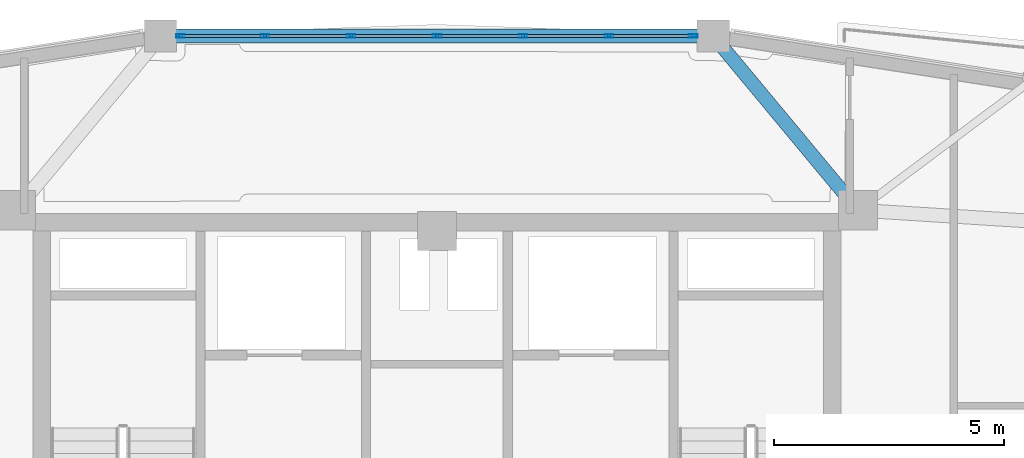
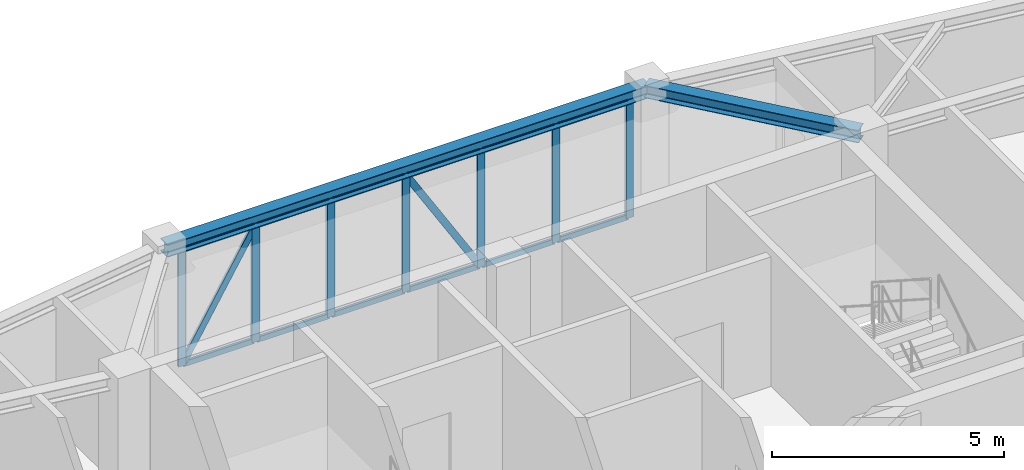
# One storey, part 9 of 16: 21 members, 2 beams, 1 element without a shape of its own.
"""IFC4 building model written with IfcOpenShell, lengths in metres."""

import ifcopenshell
import ifcopenshell.guid

model = None  # the IFC model being written
_history = None  # IfcOwnerHistory: only IFC2X3 demands one
_inside = {}  # id of a spatial element -> (the spatial element, [elements in it])
_under = {}  # id of a project, library or spatial element -> (it, [spatial elements below it])
_declared = {}  # id of a project -> (the project, [libraries it declares])
_typed = {}  # id of a type object -> (the type object, [elements of that type])
_made_of = {}  # id of a material, layer set ... -> (it, [elements and type objects made of it])


def new_model(schema):
    """Start an empty IFC model of exactly this schema.

    Asked for "IFC4X3", IfcOpenShell would pick the latest addendum, in which some entities
    have other attributes; the version numbers below select the first issue.
    IFC2X3 requires an IfcOwnerHistory on every rooted entity: one is made here for all.
    """
    global model, _history
    if schema == "IFC4X3":
        model = ifcopenshell.file(schema_version=(4, 3, 0, 0))
    else:
        model = ifcopenshell.file(schema=schema)
    _inside.clear()
    _under.clear()
    _declared.clear()
    _typed.clear()
    _made_of.clear()
    _history = None
    if model.schema == "IFC2X3":
        org = make("IfcOrganization", Name="unknown")
        user = make(
            "IfcPersonAndOrganization",
            ThePerson=make("IfcPerson", FamilyName="unknown"),
            TheOrganization=org,
        )
        app = make(
            "IfcApplication",
            ApplicationDeveloper=org,
            Version="unknown",
            ApplicationFullName="unknown",
            ApplicationIdentifier="unknown",
        )
        _history = make(
            "IfcOwnerHistory",
            OwningUser=user,
            OwningApplication=app,
            ChangeAction="ADDED",
            CreationDate=0,
        )
    return model


def make(cls, **values):
    """One entity of the class cls with the attributes given. An attribute that is None is left unset."""
    return model.create_entity(
        cls, **{name: value for name, value in values.items() if value is not None}
    )


def rooted(cls, **values):
    """An entity with a GlobalId (a new one), such as an element, a storey or a relation."""
    return make(cls, GlobalId=ifcopenshell.guid.new(), OwnerHistory=_history, **values)


def si_unit(unit_type, name, prefix=None):
    """IfcSIUnit, for example si_unit("LENGTHUNIT", "METRE", prefix="MILLI")."""
    return make("IfcSIUnit", UnitType=unit_type, Prefix=prefix, Name=name)


def derived_unit(unit_type, elements):
    """IfcDerivedUnit: a product of units, each with its exponent."""
    return make(
        "IfcDerivedUnit",
        Elements=[
            make("IfcDerivedUnitElement", Unit=unit, Exponent=power)
            for unit, power in elements
        ],
        UnitType=unit_type,
    )


def assignment(units):
    """IfcUnitAssignment: the units of a project."""
    return None if units is None else make("IfcUnitAssignment", Units=units)


def point(xyz):
    """IfcCartesianPoint."""
    return None if xyz is None else make("IfcCartesianPoint", Coordinates=xyz)


def direction(xyz):
    """IfcDirection."""
    return None if xyz is None else make("IfcDirection", DirectionRatios=xyz)


def frame(location, z_axis=None, x_axis=None):
    """IfcAxis2Placement3D, a coordinate frame: its origin and axes. An axis left out is left unset."""
    return make(
        "IfcAxis2Placement3D",
        Location=point(location),
        Axis=direction(z_axis),
        RefDirection=direction(x_axis),
    )


def frame_2d(location, x_axis=None):
    """IfcAxis2Placement2D, a coordinate frame in the plane: its origin and x axis."""
    return make(
        "IfcAxis2Placement2D", Location=point(location), RefDirection=direction(x_axis)
    )


def origin():
    """The frame at (0, 0, 0) with its axes left unset."""
    return frame((0.0, 0.0, 0.0))


def origin_2d():
    """The frame at (0, 0) in the plane with its x axis left unset."""
    return frame_2d((0.0, 0.0))


def place(relative_to, where):
    """IfcLocalPlacement: puts the frame where relative to a parent placement (None: the world)."""
    return make(
        "IfcLocalPlacement", PlacementRelTo=relative_to, RelativePlacement=where
    )


def context(
    kind, dimensions, precision=None, world=None, true_north=None, identifier=None
):
    """IfcGeometricRepresentationContext, for example the 3D "Model" context."""
    return make(
        "IfcGeometricRepresentationContext",
        ContextIdentifier=identifier,
        ContextType=kind,
        CoordinateSpaceDimension=dimensions,
        Precision=precision,
        WorldCoordinateSystem=world,
        TrueNorth=true_north,
    )


def subcontext(parent, identifier, kind, view, scale=None):
    """IfcGeometricRepresentationSubContext, for example "Body" below "Model"."""
    return make(
        "IfcGeometricRepresentationSubContext",
        ContextIdentifier=identifier,
        ContextType=kind,
        ParentContext=parent,
        TargetScale=scale,
        TargetView=view,
    )


def project(units=None, contexts=None):
    """IfcProject with its units and contexts."""
    return rooted(
        "IfcProject",
        Name="project",
        RepresentationContexts=contexts,
        UnitsInContext=assignment(units),
    )


def spatial(cls, under=None, at=None, **own):
    """A site, building, storey or space (cls), placed at a placement, below another one or the project."""
    s = rooted(cls, ObjectPlacement=at, **own)
    if under is not None:
        _under.setdefault(under.id(), (under, []))[1].append(s)
    return s


def profile(cls, at=None, kind="AREA", **sizes):
    """A parametric profile (cls). Its sizes go by their IFC names, for example OverallWidth=200.0."""
    return make(cls, ProfileType=kind, Position=at, **sizes)


def hollow_rectangle(**sizes):
    """IfcRectangleHollowProfileDef."""
    return profile("IfcRectangleHollowProfileDef", **sizes)


def i_section(**sizes):
    """IfcIShapeProfileDef."""
    return profile("IfcIShapeProfileDef", **sizes)


def extrude(swept, where, along, depth):
    """IfcExtrudedAreaSolid: the profile swept, set in the frame where, extruded along a direction by depth."""
    return make(
        "IfcExtrudedAreaSolid",
        SweptArea=swept,
        Position=where,
        ExtrudedDirection=direction(along),
        Depth=depth,
    )


def shape(context_of_items, identifier, shape_type, items):
    """IfcShapeRepresentation: the items that make up one representation, for example the "Body"."""
    return make(
        "IfcShapeRepresentation",
        ContextOfItems=context_of_items,
        RepresentationIdentifier=identifier,
        RepresentationType=shape_type,
        Items=items,
    )


def source(mapping_origin, context_of_items, identifier, shape_type, items):
    """IfcRepresentationMap: a shape defined once, which mapped items show again and again."""
    return make(
        "IfcRepresentationMap",
        MappingOrigin=mapping_origin,
        MappedRepresentation=shape(context_of_items, identifier, shape_type, items),
    )


def transform(
    local_origin,
    x_axis=None,
    y_axis=None,
    z_axis=None,
    scale=None,
    scale2=None,
    scale3=None,
    uniform=True,
):
    """IfcCartesianTransformationOperator3D, or its non-uniform kind. x_axis, y_axis, z_axis: its Axis1, 2, 3."""
    if uniform:
        return make(
            "IfcCartesianTransformationOperator3D",
            Axis1=direction(x_axis),
            Axis2=direction(y_axis),
            LocalOrigin=point(local_origin),
            Scale=scale,
            Axis3=direction(z_axis),
        )
    return make(
        "IfcCartesianTransformationOperator3DnonUniform",
        Axis1=direction(x_axis),
        Axis2=direction(y_axis),
        LocalOrigin=point(local_origin),
        Scale=scale,
        Axis3=direction(z_axis),
        Scale2=scale2,
        Scale3=scale3,
    )


def mapped(mapping_source, mapping_target):
    """IfcMappedItem: shows the shape of a source again, moved by a transform."""
    return make(
        "IfcMappedItem", MappingSource=mapping_source, MappingTarget=mapping_target
    )


def material(Name=None, Category=None):
    """IfcMaterial."""
    return make("IfcMaterial", Name=Name, Category=Category)


def layer(
    of_material, thickness, ventilated=None, Name=None, Category=None, Priority=None
):
    """IfcMaterialLayer: one layer of a wall or slab, of a material (None: an air gap)."""
    return make(
        "IfcMaterialLayer",
        Material=of_material,
        LayerThickness=thickness,
        IsVentilated=ventilated,
        Name=Name,
        Category=Category,
        Priority=Priority,
    )


def layer_set(layers, Name=None):
    """IfcMaterialLayerSet."""
    return make("IfcMaterialLayerSet", MaterialLayers=layers, LayerSetName=Name)


def material_profile(
    of_material, cross_section, Name=None, Category=None, Priority=None
):
    """IfcMaterialProfile: a cross section and its material."""
    return make(
        "IfcMaterialProfile",
        Name=Name,
        Material=of_material,
        Profile=cross_section,
        Priority=Priority,
        Category=Category,
    )


def profile_set(profiles, Name=None, composite=None):
    """IfcMaterialProfileSet."""
    return make(
        "IfcMaterialProfileSet",
        Name=Name,
        MaterialProfiles=profiles,
        CompositeProfile=composite,
    )


def made_of(thing, what):
    """Note that an element or type object is made of a material, layer set ...; save() writes the relation."""
    if what is not None:
        _made_of.setdefault(what.id(), (what, []))[1].append(thing)
    return thing


def type_object(cls, material=None, **own):
    """A type object (cls), such as IfcWallType, which elements share."""
    return made_of(rooted(cls, **own), material)


def element(
    cls,
    number,
    at=None,
    inside=None,
    cuts=None,
    type_object=None,
    material=None,
    context=None,
    identifier="Body",
    shape_type=None,
    held_by="IfcProductDefinitionShape",
    body=None,
    shapes=None,
    **own,
):
    """One element of the class cls, such as IfcWall. Its Tag is "e" and its number.

    at: its placement. inside: the storey or other place that contains it. cuts: it is an
    opening in that element (IfcRelVoidsElement). A single representation is given by context,
    identifier, shape_type and body (its items); several are given by shapes. held_by: the class
    of the entity that holds the representations. save() writes the other relations.
    """
    e = rooted(cls, Tag="e%d" % number, ObjectPlacement=at, **own)
    if body is not None:
        shapes = [shape(context, identifier, shape_type, body)]
    if shapes is not None:
        e.Representation = make(held_by, Representations=shapes)
    if inside is not None:
        _inside.setdefault(inside.id(), (inside, []))[1].append(e)
    if cuts is not None:
        rooted(
            "IfcRelVoidsElement", RelatingBuildingElement=cuts, RelatedOpeningElement=e
        )
    if type_object is not None:
        _typed.setdefault(type_object.id(), (type_object, []))[1].append(e)
    return made_of(e, material)


def aggregate(whole, parts):
    """IfcRelAggregates: a whole, such as a stair, and the parts it consists of."""
    return rooted("IfcRelAggregates", RelatingObject=whole, RelatedObjects=parts)


def save(model, path):
    """Write the relations noted so far, then the file.

    IfcRelAggregates (storeys below a building ...), IfcRelContainedInSpatialStructure (elements
    in a storey), IfcRelDefinesByType, IfcRelAssociatesMaterial and IfcRelDeclares: one each for
    every whole, place, type object, material and project.
    """
    for whole, parts in _under.values():
        aggregate(whole, parts)
    for where, things in _inside.values():
        rooted(
            "IfcRelContainedInSpatialStructure",
            RelatedElements=things,
            RelatingStructure=where,
        )
    for kind, things in _typed.values():
        rooted("IfcRelDefinesByType", RelatedObjects=things, RelatingType=kind)
    for what, things in _made_of.values():
        rooted("IfcRelAssociatesMaterial", RelatedObjects=things, RelatingMaterial=what)
    for by, libraries in _declared.values():
        rooted("IfcRelDeclares", RelatingContext=by, RelatedDefinitions=libraries)
    model.write(path)


model = new_model("IFC4")

# Units and contexts
model_context = context("Model", 3, precision=1e-05, world=origin(), true_north=direction((0.0, 1.0)))
body_context = subcontext(model_context, "Body", "Model", "MODEL_VIEW")
ifc_project = project(units=[si_unit("LENGTHUNIT", "METRE"), si_unit("AREAUNIT", "SQUARE_METRE"), si_unit("VOLUMEUNIT", "CUBIC_METRE"), si_unit("PLANEANGLEUNIT", "RADIAN"), si_unit("MASSUNIT", "GRAM", prefix="KILO"), derived_unit("THERMALTRANSMITTANCEUNIT", [(si_unit("POWERUNIT", "WATT"), 1), (si_unit("LENGTHUNIT", "METRE"), -2), (si_unit("THERMODYNAMICTEMPERATUREUNIT", "KELVIN"), -1)])], contexts=[model_context])

# Site, building, storey
site_placement = place(None, origin())
site = spatial("IfcSite", under=ifc_project, at=site_placement, CompositionType="ELEMENT")
building_placement = place(site_placement, origin())
building = spatial("IfcBuilding", under=site, at=building_placement, Name="Korsvarv Bourse and Concert Hall", CompositionType="ELEMENT")
storey_placement = place(building_placement, frame((0.0, 0.0, 243.0)))
storey = spatial("IfcBuildingStorey", under=building, at=storey_placement, Name="L63", CompositionType="ELEMENT", Elevation=243.0)

# Beams
ifc_material_1 = material(Name="Steel S355", Category="steel")
ifc_material_profile_1 = material_profile(ifc_material_1, i_section(OverallWidth=0.300048828125, OverallDepth=0.330078125, WebThickness=0.009521484375, FlangeThickness=0.0166015625, FilletRadius=0.02099609375, at=origin_2d()), Name="HEA 340")
ifc_profile_set_1 = profile_set([ifc_material_profile_1], Name="Steel S355")
beam_type = type_object("IfcBeamType", Name="BM-HEA340", PredefinedType="BEAM", material=ifc_profile_set_1)
shared_shape_1 = source(origin(), body_context, "Body", "SweptSolid", [
    extrude(i_section(OverallWidth=0.300048828125, OverallDepth=0.330078125, WebThickness=0.009521484375, FlangeThickness=0.0166015625, FilletRadius=0.02099609375, at=origin_2d()), origin(), (0.0, 0.0, 1.0), 12.0087890625),
])
beam_1_placement = place(storey_placement, frame((42.00439453125, 51.03271484375, 3.2451171875), z_axis=(-1.0, 0.0, 0.0), x_axis=(0.0, -1.0, 0.0)))
element("IfcBeam", 1, at=beam_1_placement, inside=storey, type_object=beam_type, Name="L63 beam B-12", PredefinedType="BEAM", context=body_context, shape_type="MappedRepresentation", body=[
    mapped(shared_shape_1, transform((0.0, 0.0, 0.0), scale=1.0)),
])
shared_shape_2 = source(origin(), body_context, "Body", "SweptSolid", [
    extrude(i_section(OverallWidth=0.300048828125, OverallDepth=0.330078125, WebThickness=0.009521484375, FlangeThickness=0.0166015625, FilletRadius=0.02099609375, at=origin_2d()), origin(), (0.0, 0.0, 1.0), 4.919677734375),
])
beam_2_placement = place(storey_placement, frame((42.00439453125, 51.03271484375, 3.2451171875), z_axis=(0.6393737664, -0.768896083251, 0.0), x_axis=(0.768896083251, 0.6393737664, 0.0)))
element("IfcBeam", 2, at=beam_2_placement, inside=storey, type_object=beam_type, Name="L63 beam B-12", PredefinedType="BEAM", context=body_context, shape_type="MappedRepresentation", body=[
    mapped(shared_shape_2, transform((0.0, 0.0, 0.0), scale=1.0)),
])

# Curtain wall, members
ifc_material_2 = material(Name="Anodised aluminium and triple low-E glazing", Category="glass")
ifc_layer = layer(ifc_material_2, 0.199951171875)
ifc_layer_set = layer_set([ifc_layer], Name="Anodised aluminium and triple low-E glazing")
curtain_wall_type = type_object("IfcCurtainWallType", Name="CW-SYS-3", PredefinedType="NOTDEFINED", material=ifc_layer_set)
curtain_wall_placement = place(storey_placement, origin())
curtain_wall = element("IfcCurtainWall", 3, at=curtain_wall_placement, inside=storey, type_object=curtain_wall_type, Name="L63 CW3 curtain wall CW-L63-F03", PredefinedType="NOTDEFINED")
ifc_material_3 = material(Name="Extruded aluminium EN AW-6063 T66", Category="aluminium")
ifc_material_profile_2 = material_profile(ifc_material_3, hollow_rectangle(XDim=0.06494140625, YDim=0.1650390625, WallThickness=0.0048828125, at=origin_2d()), Name="ALU-M 65x165")
ifc_profile_set_2 = profile_set([ifc_material_profile_2], Name="Extruded aluminium EN AW-6063 T66")
member_type_1 = type_object("IfcMemberType", Name="CWM-165", PredefinedType="MULLION", material=ifc_profile_set_2)
shared_shape_3 = source(origin(), body_context, "Body", "SweptSolid", [
    extrude(hollow_rectangle(XDim=0.06494140625, YDim=0.1650390625, WallThickness=0.0048828125, at=origin_2d()), origin(), (0.0, 0.0, 1.0), 3.454833984375),
])
member_1_placement = place(storey_placement, frame((37.833251953125, 51.03271484375, 0.06494140625), z_axis=(-0.520520729394, 0.0, 0.853849032482), x_axis=(0.0, -1.0, 0.0)))
member_1 = element("IfcMember", 4, at=member_1_placement, type_object=member_type_1, Name="CW3 diagonal mullion 3", PredefinedType="MULLION", context=body_context, shape_type="MappedRepresentation", body=[
    mapped(shared_shape_3, transform((0.0, 0.0, 0.0), scale=1.0)),
])
ifc_material_profile_3 = material_profile(ifc_material_3, hollow_rectangle(XDim=0.070068359375, YDim=0.18994140625, WallThickness=0.0048828125, at=origin_2d()), Name="ALU-M 70x190")
ifc_profile_set_3 = profile_set([ifc_material_profile_3], Name="Extruded aluminium EN AW-6063 T66")
member_type_2 = type_object("IfcMemberType", Name="CWM-190", PredefinedType="MULLION", material=ifc_profile_set_3)
shared_shape_4 = source(origin(), body_context, "Body", "SweptSolid", [
    extrude(hollow_rectangle(XDim=0.070068359375, YDim=0.18994140625, WallThickness=0.0048828125, at=origin_2d()), origin(), (0.0, 0.0, 1.0), 3.080078125),
])
member_2_placement = place(storey_placement, frame((41.5693359375, 51.03271484375, 0.0), z_axis=(0.0, 0.0, 1.0), x_axis=(0.0, -1.0, 0.0)))
member_2 = element("IfcMember", 5, at=member_2_placement, type_object=member_type_2, Name="CW3 mullion 1", PredefinedType="MULLION", context=body_context, shape_type="MappedRepresentation", body=[
    mapped(shared_shape_4, transform((0.0, 0.0, 0.0), scale=1.0)),
])
member_3_placement = place(storey_placement, frame((39.736328125, 51.03271484375, 0.0), z_axis=(0.0, 0.0, 1.0), x_axis=(0.0, -1.0, 0.0)))
member_3 = element("IfcMember", 6, at=member_3_placement, type_object=member_type_2, Name="CW3 mullion 2", PredefinedType="MULLION", context=body_context, shape_type="MappedRepresentation", body=[
    mapped(shared_shape_4, transform((0.0, 0.0, 0.0), scale=1.0)),
])
member_4_placement = place(storey_placement, frame((37.8681640625, 51.03271484375, 0.0), z_axis=(0.0, 0.0, 1.0), x_axis=(0.0, -1.0, 0.0)))
member_4 = element("IfcMember", 7, at=member_4_placement, type_object=member_type_2, Name="CW3 mullion 3", PredefinedType="MULLION", context=body_context, shape_type="MappedRepresentation", body=[
    mapped(shared_shape_4, transform((0.0, 0.0, 0.0), scale=1.0)),
])
member_5_placement = place(storey_placement, frame((36.0, 51.03271484375, 0.0), z_axis=(0.0, 0.0, 1.0), x_axis=(0.0, -1.0, 0.0)))
member_5 = element("IfcMember", 8, at=member_5_placement, type_object=member_type_2, Name="CW3 mullion 4", PredefinedType="MULLION", context=body_context, shape_type="MappedRepresentation", body=[
    mapped(shared_shape_4, transform((0.0, 0.0, 0.0), scale=1.0)),
])
member_6_placement = place(storey_placement, frame((34.1318359375, 51.03271484375, 0.0), z_axis=(0.0, 0.0, 1.0), x_axis=(0.0, -1.0, 0.0)))
member_6 = element("IfcMember", 9, at=member_6_placement, type_object=member_type_2, Name="CW3 mullion 5", PredefinedType="MULLION", context=body_context, shape_type="MappedRepresentation", body=[
    mapped(shared_shape_4, transform((0.0, 0.0, 0.0), scale=1.0)),
])
member_7_placement = place(storey_placement, frame((32.263671875, 51.03271484375, 0.0), z_axis=(0.0, 0.0, 1.0), x_axis=(0.0, -1.0, 0.0)))
member_7 = element("IfcMember", 10, at=member_7_placement, type_object=member_type_2, Name="CW3 mullion 6", PredefinedType="MULLION", context=body_context, shape_type="MappedRepresentation", body=[
    mapped(shared_shape_4, transform((0.0, 0.0, 0.0), scale=1.0)),
])
member_8_placement = place(storey_placement, frame((30.4306640625, 51.03271484375, 0.0), z_axis=(0.0, 0.0, 1.0), x_axis=(0.0, -1.0, 0.0)))
member_8 = element("IfcMember", 11, at=member_8_placement, type_object=member_type_2, Name="CW3 mullion 7", PredefinedType="MULLION", context=body_context, shape_type="MappedRepresentation", body=[
    mapped(shared_shape_4, transform((0.0, 0.0, 0.0), scale=1.0)),
])
ifc_material_profile_4 = material_profile(ifc_material_3, hollow_rectangle(XDim=0.06494140625, YDim=0.139892578125, WallThickness=0.00390625, at=origin_2d()), Name="ALU-T 65x140")
ifc_profile_set_4 = profile_set([ifc_material_profile_4], Name="Extruded aluminium EN AW-6063 T66")
member_type_3 = type_object("IfcMemberType", Name="CWT-140", PredefinedType="USERDEFINED", material=ifc_profile_set_4)
shared_shape_5 = source(origin(), body_context, "Body", "SweptSolid", [
    extrude(hollow_rectangle(XDim=0.06494140625, YDim=0.139892578125, WallThickness=0.00390625, at=origin_2d()), origin(), (0.0, 0.0, 1.0), 1.76318359375),
])
member_9_placement = place(storey_placement, frame((41.534423828125, 51.03271484375, 0.032470703125), z_axis=(-1.0, 0.0, 0.0), x_axis=(0.0, -1.0, 0.0)))
member_9 = element("IfcMember", 12, at=member_9_placement, type_object=member_type_3, Name="CW3 transom 1.1", ObjectType="TRANSOM", PredefinedType="USERDEFINED", context=body_context, shape_type="MappedRepresentation", body=[
    mapped(shared_shape_5, transform((0.0, 0.0, 0.0), scale=1.0)),
])
member_10_placement = place(storey_placement, frame((41.534423828125, 51.03271484375, 3.047607421875), z_axis=(-1.0, 0.0, 0.0), x_axis=(0.0, -1.0, 0.0)))
member_10 = element("IfcMember", 13, at=member_10_placement, type_object=member_type_3, Name="CW3 transom 1.2", ObjectType="TRANSOM", PredefinedType="USERDEFINED", context=body_context, shape_type="MappedRepresentation", body=[
    mapped(shared_shape_5, transform((0.0, 0.0, 0.0), scale=1.0)),
])
member_11_placement = place(storey_placement, frame((32.228759765625, 51.03271484375, 0.032470703125), z_axis=(-1.0, 0.0, 0.0), x_axis=(0.0, -1.0, 0.0)))
member_11 = element("IfcMember", 14, at=member_11_placement, type_object=member_type_3, Name="CW3 transom 6.1", ObjectType="TRANSOM", PredefinedType="USERDEFINED", context=body_context, shape_type="MappedRepresentation", body=[
    mapped(shared_shape_5, transform((0.0, 0.0, 0.0), scale=1.0)),
])
member_12_placement = place(storey_placement, frame((32.228759765625, 51.03271484375, 3.047607421875), z_axis=(-1.0, 0.0, 0.0), x_axis=(0.0, -1.0, 0.0)))
member_12 = element("IfcMember", 15, at=member_12_placement, type_object=member_type_3, Name="CW3 transom 6.2", ObjectType="TRANSOM", PredefinedType="USERDEFINED", context=body_context, shape_type="MappedRepresentation", body=[
    mapped(shared_shape_5, transform((0.0, 0.0, 0.0), scale=1.0)),
])
shared_shape_6 = source(origin(), body_context, "Body", "SweptSolid", [
    extrude(hollow_rectangle(XDim=0.06494140625, YDim=0.139892578125, WallThickness=0.00390625, at=origin_2d()), origin(), (0.0, 0.0, 1.0), 1.798095703125),
])
member_13_placement = place(storey_placement, frame((39.701171875, 51.03271484375, 0.032470703125), z_axis=(-1.0, 0.0, 0.0), x_axis=(0.0, -1.0, 0.0)))
member_13 = element("IfcMember", 16, at=member_13_placement, type_object=member_type_3, Name="CW3 transom 2.1", ObjectType="TRANSOM", PredefinedType="USERDEFINED", context=body_context, shape_type="MappedRepresentation", body=[
    mapped(shared_shape_6, transform((0.0, 0.0, 0.0), scale=1.0)),
])
member_14_placement = place(storey_placement, frame((39.701171875, 51.03271484375, 3.047607421875), z_axis=(-1.0, 0.0, 0.0), x_axis=(0.0, -1.0, 0.0)))
member_14 = element("IfcMember", 17, at=member_14_placement, type_object=member_type_3, Name="CW3 transom 2.2", ObjectType="TRANSOM", PredefinedType="USERDEFINED", context=body_context, shape_type="MappedRepresentation", body=[
    mapped(shared_shape_6, transform((0.0, 0.0, 0.0), scale=1.0)),
])
member_15_placement = place(storey_placement, frame((34.096923828125, 51.03271484375, 0.032470703125), z_axis=(-1.0, 0.0, 0.0), x_axis=(0.0, -1.0, 0.0)))
member_15 = element("IfcMember", 18, at=member_15_placement, type_object=member_type_3, Name="CW3 transom 5.1", ObjectType="TRANSOM", PredefinedType="USERDEFINED", context=body_context, shape_type="MappedRepresentation", body=[
    mapped(shared_shape_6, transform((0.0, 0.0, 0.0), scale=1.0)),
])
member_16_placement = place(storey_placement, frame((34.096923828125, 51.03271484375, 3.047607421875), z_axis=(-1.0, 0.0, 0.0), x_axis=(0.0, -1.0, 0.0)))
member_16 = element("IfcMember", 19, at=member_16_placement, type_object=member_type_3, Name="CW3 transom 5.2", ObjectType="TRANSOM", PredefinedType="USERDEFINED", context=body_context, shape_type="MappedRepresentation", body=[
    mapped(shared_shape_6, transform((0.0, 0.0, 0.0), scale=1.0)),
])
shared_shape_7 = source(origin(), body_context, "Body", "SweptSolid", [
    extrude(hollow_rectangle(XDim=0.06494140625, YDim=0.139892578125, WallThickness=0.00390625, at=origin_2d()), origin(), (0.0, 0.0, 1.0), 1.79833984375),
])
member_17_placement = place(storey_placement, frame((37.833251953125, 51.03271484375, 0.032470703125), z_axis=(-1.0, 0.0, 0.0), x_axis=(0.0, -1.0, 0.0)))
member_17 = element("IfcMember", 20, at=member_17_placement, type_object=member_type_3, Name="CW3 transom 3.1", ObjectType="TRANSOM", PredefinedType="USERDEFINED", context=body_context, shape_type="MappedRepresentation", body=[
    mapped(shared_shape_7, transform((0.0, 0.0, 0.0), scale=1.0)),
])
member_18_placement = place(storey_placement, frame((37.833251953125, 51.03271484375, 3.047607421875), z_axis=(-1.0, 0.0, 0.0), x_axis=(0.0, -1.0, 0.0)))
member_18 = element("IfcMember", 21, at=member_18_placement, type_object=member_type_3, Name="CW3 transom 3.2", ObjectType="TRANSOM", PredefinedType="USERDEFINED", context=body_context, shape_type="MappedRepresentation", body=[
    mapped(shared_shape_7, transform((0.0, 0.0, 0.0), scale=1.0)),
])
member_19_placement = place(storey_placement, frame((35.965087890625, 51.03271484375, 0.032470703125), z_axis=(-1.0, 0.0, 0.0), x_axis=(0.0, -1.0, 0.0)))
member_19 = element("IfcMember", 22, at=member_19_placement, type_object=member_type_3, Name="CW3 transom 4.1", ObjectType="TRANSOM", PredefinedType="USERDEFINED", context=body_context, shape_type="MappedRepresentation", body=[
    mapped(shared_shape_7, transform((0.0, 0.0, 0.0), scale=1.0)),
])
member_20_placement = place(storey_placement, frame((35.965087890625, 51.03271484375, 3.047607421875), z_axis=(-1.0, 0.0, 0.0), x_axis=(0.0, -1.0, 0.0)))
member_20 = element("IfcMember", 23, at=member_20_placement, type_object=member_type_3, Name="CW3 transom 4.2", ObjectType="TRANSOM", PredefinedType="USERDEFINED", context=body_context, shape_type="MappedRepresentation", body=[
    mapped(shared_shape_7, transform((0.0, 0.0, 0.0), scale=1.0)),
])
shared_shape_8 = source(origin(), body_context, "Body", "SweptSolid", [
    extrude(hollow_rectangle(XDim=0.06494140625, YDim=0.1650390625, WallThickness=0.0048828125, at=origin_2d()), origin(), (0.0, 0.0, 1.0), 3.436767578125),
])
member_21_placement = place(storey_placement, frame((30.465576171875, 51.03271484375, 0.06494140625), z_axis=(0.513042899114, 0.0, 0.858362967321), x_axis=(0.0, 1.0, 0.0)))
member_21 = element("IfcMember", 24, at=member_21_placement, type_object=member_type_1, Name="CW3 diagonal mullion 6", PredefinedType="MULLION", context=body_context, shape_type="MappedRepresentation", body=[
    mapped(shared_shape_8, transform((0.0, 0.0, 0.0), scale=1.0)),
])
aggregate(curtain_wall, [member_2, member_3, member_4, member_5, member_6, member_7, member_8, member_9, member_10, member_13, member_14, member_17, member_18, member_1, member_19, member_20, member_15, member_16, member_11, member_12, member_21])

save(model, "model.ifc")
